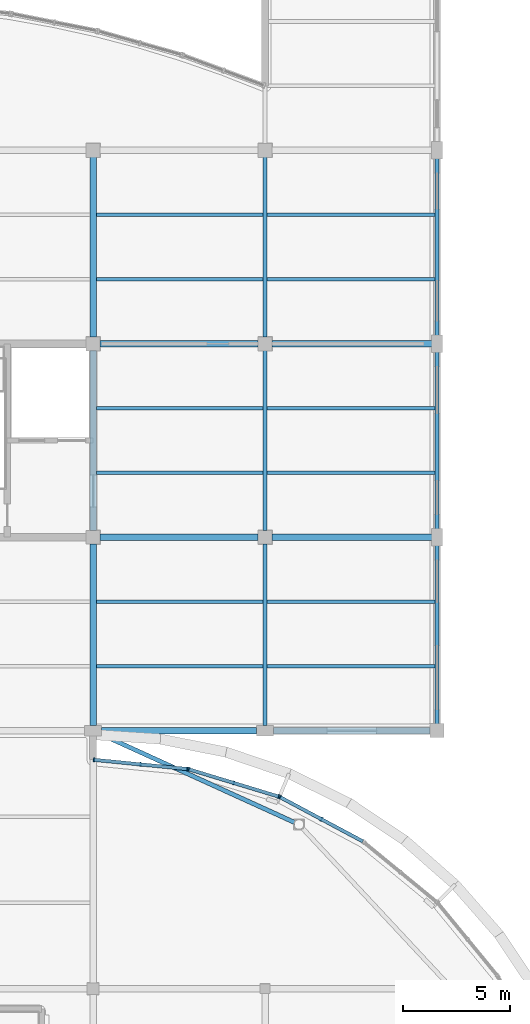
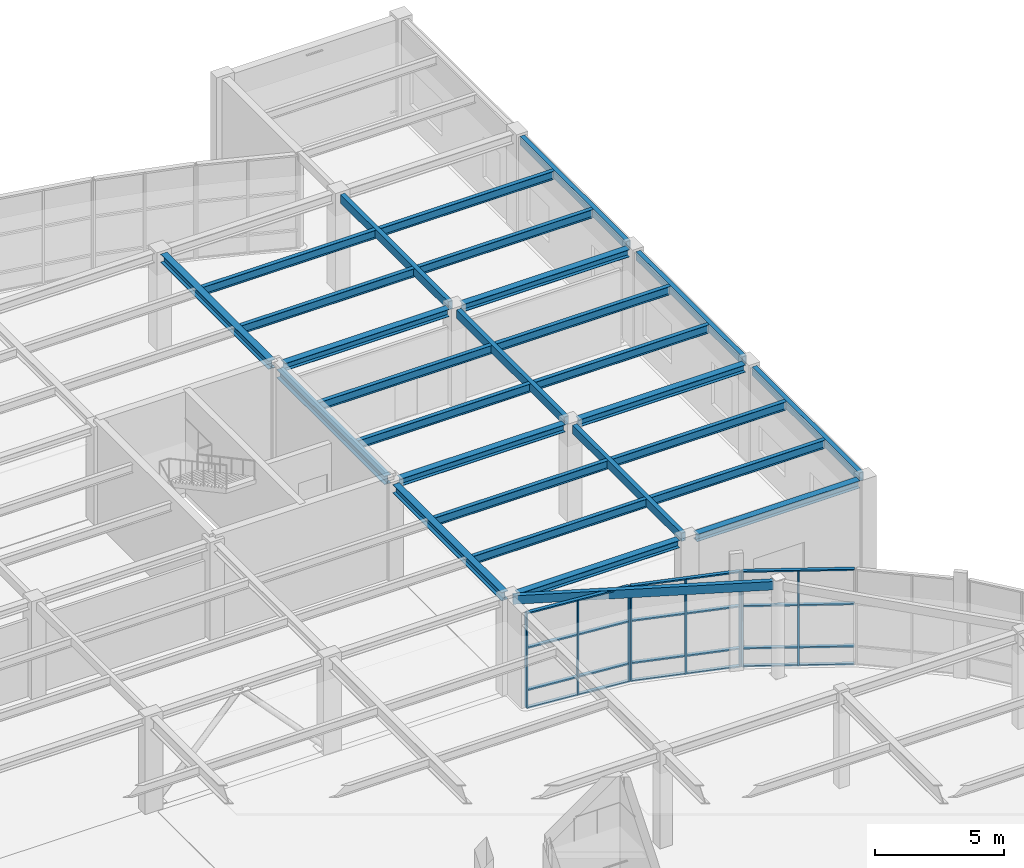
# One storey, part 30 of 63: 28 beams, 20 members, 3 elements without a shape of their own.
"""IFC4 building model written with IfcOpenShell, lengths in metres."""

from ifc_helpers import new_model, si_unit, direction, frame, origin, origin_2d, place, context, subcontext, project, spatial, rectangle, hollow_rectangle, i_section, extrude, material, layer, layer_set, material_profile, profile_set, type_object, element, aggregate, save


model = new_model("IFC4")

# Units and contexts
model_context = context("Model", 3, precision=1e-05, world=origin(), true_north=direction((0.0, 1.0)))
body_context = subcontext(model_context, "Body", "Model", "MODEL_VIEW")
ifc_project = project(units=[si_unit("LENGTHUNIT", "METRE"), si_unit("AREAUNIT", "SQUARE_METRE"), si_unit("VOLUMEUNIT", "CUBIC_METRE"), si_unit("PLANEANGLEUNIT", "RADIAN"), si_unit("MASSUNIT", "GRAM", prefix="KILO")], contexts=[model_context])

# Site, building, storey
site_placement = place(None, origin())
site = spatial("IfcSite", under=ifc_project, at=site_placement, CompositionType="ELEMENT")
building_placement = place(site_placement, origin())
building = spatial("IfcBuilding", under=site, at=building_placement, Name="Keelwater Ferry Terminal", CompositionType="ELEMENT")
storey_placement = place(building_placement, frame((0.0, 0.0, 10.199951171875)))
storey = spatial("IfcBuildingStorey", under=building, at=storey_placement, Name="L02", CompositionType="ELEMENT", Elevation=10.199951171875)

# Curtain wall, members
ifc_material_1 = material(Name="Thermally broken unitised aluminium and triple glass", Category="aluminium")
ifc_layer = layer(ifc_material_1, 0.179931640625)
ifc_layer_set = layer_set([ifc_layer], Name="Thermally broken unitised aluminium and triple glass")
curtain_wall_type = type_object("IfcCurtainWallType", Name="CW-19 Unitised Curtain Wall 4350x4480", PredefinedType="USERDEFINED", material=ifc_layer_set)
curtain_wall_1_placement = place(storey_placement, origin())
curtain_wall_1 = element("IfcCurtainWall", 1, at=curtain_wall_1_placement, inside=storey, type_object=curtain_wall_type, Name="Unitised Curtain Wall CW-L02-170", ObjectType="UNITISED CURTAIN WALL", PredefinedType="USERDEFINED")
ifc_material_2 = material(Name="Aluminium mullion", Category="aluminium")
ifc_material_profile_1 = material_profile(ifc_material_2, rectangle(XDim=0.06494140625, YDim=0.179931640625, at=origin_2d()), Name="CWM-01")
ifc_profile_set_1 = profile_set([ifc_material_profile_1], Name="Aluminium mullion")
member_type_1 = type_object("IfcMemberType", Name="CWM-01 Curtain Mullion 65x180", PredefinedType="MULLION", material=ifc_profile_set_1)
member_1_placement = place(storey_placement, frame((174.6259765625, 85.87939453125, 0.0), z_axis=(0.0, 0.0, 1.0), x_axis=(-0.881862452632, 0.471506749303, 0.0)))
member_1 = element("IfcMember", 2, at=member_1_placement, type_object=member_type_1, Name="CW-L02-170 Mullion 2", PredefinedType="MULLION", context=body_context, shape_type="SweptSolid", body=[
    extrude(rectangle(XDim=0.06494140625, YDim=0.179931640625, at=origin_2d()), origin(), (0.0, 0.0, 1.0), 4.47998046875),
])
member_2_placement = place(storey_placement, frame((172.7080078125, 86.905029296875, 0.0), z_axis=(0.0, 0.0, 1.0), x_axis=(-0.881862452632, 0.471506749303, 0.0)))
member_2 = element("IfcMember", 3, at=member_2_placement, type_object=member_type_1, Name="CW-L02-170 Mullion 3", PredefinedType="MULLION", context=body_context, shape_type="SweptSolid", body=[
    extrude(rectangle(XDim=0.06494140625, YDim=0.179931640625, at=origin_2d()), origin(), (0.0, 0.0, 1.0), 4.47998046875),
])

curtain_wall_2_placement = place(storey_placement, origin())
curtain_wall_2 = element("IfcCurtainWall", 4, at=curtain_wall_2_placement, inside=storey, type_object=curtain_wall_type, Name="Unitised Curtain Wall CW-L02-171", ObjectType="UNITISED CURTAIN WALL", PredefinedType="USERDEFINED")
member_3_placement = place(storey_placement, frame((172.625, 86.93896484375, 0.0), z_axis=(0.0, 0.0, 1.0), x_axis=(-0.956929623319, 0.290319989003, 0.0)))
member_3 = element("IfcMember", 5, at=member_3_placement, type_object=member_type_1, Name="CW-L02-171 Mullion 1", PredefinedType="MULLION", context=body_context, shape_type="SweptSolid", body=[
    extrude(rectangle(XDim=0.06494140625, YDim=0.179931640625, at=origin_2d()), origin(), (0.0, 0.0, 1.0), 4.47998046875),
])
member_4_placement = place(storey_placement, frame((170.54345703125, 87.570556640625, 0.0), z_axis=(0.0, 0.0, 1.0), x_axis=(-0.956929623319, 0.290319989003, 0.0)))
member_4 = element("IfcMember", 6, at=member_4_placement, type_object=member_type_1, Name="CW-L02-171 Mullion 2", PredefinedType="MULLION", context=body_context, shape_type="SweptSolid", body=[
    extrude(rectangle(XDim=0.06494140625, YDim=0.179931640625, at=origin_2d()), origin(), (0.0, 0.0, 1.0), 4.47998046875),
])
member_5_placement = place(storey_placement, frame((168.4619140625, 88.201904296875, 0.0), z_axis=(0.0, 0.0, 1.0), x_axis=(-0.956929623319, 0.290319989003, 0.0)))
member_5 = element("IfcMember", 7, at=member_5_placement, type_object=member_type_1, Name="CW-L02-171 Mullion 3", PredefinedType="MULLION", context=body_context, shape_type="SweptSolid", body=[
    extrude(rectangle(XDim=0.06494140625, YDim=0.179931640625, at=origin_2d()), origin(), (0.0, 0.0, 1.0), 4.47998046875),
])

curtain_wall_3_placement = place(storey_placement, origin())
curtain_wall_3 = element("IfcCurtainWall", 8, at=curtain_wall_3_placement, inside=storey, type_object=curtain_wall_type, Name="Unitised Curtain Wall CW-L02-172", ObjectType="UNITISED CURTAIN WALL", PredefinedType="USERDEFINED")
member_6_placement = place(storey_placement, frame((168.3740234375, 88.218994140625, 0.0), z_axis=(0.0, 0.0, 1.0), x_axis=(-0.995170573079, 0.098160737969, 0.0)))
member_6 = element("IfcMember", 9, at=member_6_placement, type_object=member_type_1, Name="CW-L02-172 Mullion 1", PredefinedType="MULLION", context=body_context, shape_type="SweptSolid", body=[
    extrude(rectangle(XDim=0.06494140625, YDim=0.179931640625, at=origin_2d()), origin(), (0.0, 0.0, 1.0), 4.47998046875),
])
member_7_placement = place(storey_placement, frame((166.20947265625, 88.4326171875, 0.0), z_axis=(0.0, 0.0, 1.0), x_axis=(-0.995170573079, 0.098160737969, 0.0)))
member_7 = element("IfcMember", 10, at=member_7_placement, type_object=member_type_1, Name="CW-L02-172 Mullion 2", PredefinedType="MULLION", context=body_context, shape_type="SweptSolid", body=[
    extrude(rectangle(XDim=0.06494140625, YDim=0.179931640625, at=origin_2d()), origin(), (0.0, 0.0, 1.0), 4.47998046875),
])
member_8_placement = place(storey_placement, frame((164.044921875, 88.64599609375, 0.0), z_axis=(0.0, 0.0, 1.0), x_axis=(-0.995170573079, 0.098160737969, 0.0)))
member_8 = element("IfcMember", 11, at=member_8_placement, type_object=member_type_1, Name="CW-L02-172 Mullion 3", PredefinedType="MULLION", context=body_context, shape_type="SweptSolid", body=[
    extrude(rectangle(XDim=0.06494140625, YDim=0.179931640625, at=origin_2d()), origin(), (0.0, 0.0, 1.0), 4.47998046875),
])

# Member
ifc_material_3 = material(Name="Aluminium mullion", Category="aluminium")
ifc_material_profile_2 = material_profile(ifc_material_3, rectangle(XDim=0.159912109375, YDim=0.06494140625, at=origin_2d()), Name="CWT-01")
ifc_profile_set_2 = profile_set([ifc_material_profile_2], Name="Aluminium mullion")
member_type_2 = type_object("IfcMemberType", Name="CWT-01 Curtain Transom 65x160", PredefinedType="USERDEFINED", material=ifc_profile_set_2)
member_9_placement = place(storey_placement, frame((176.5439453125, 84.85400390625, 0.0), z_axis=(-0.881856831112, 0.471517263122, 0.0), x_axis=(-0.471517263122, -0.881856831112, 0.0)))
member_9 = element("IfcMember", 12, at=member_9_placement, type_object=member_type_2, Name="CW-L02-170 Transom 1", ObjectType="TRANSOM", PredefinedType="USERDEFINED", context=body_context, shape_type="SweptSolid", body=[
    extrude(rectangle(XDim=0.159912109375, YDim=0.06494140625, at=origin_2d()), origin(), (0.0, 0.0, 1.0), 4.349853515625),
])

member_10_placement = place(storey_placement, frame((176.5439453125, 84.85400390625, 0.85009765625), z_axis=(-0.881856831112, 0.471517263122, 0.0), x_axis=(-0.471517263122, -0.881856831112, 0.0)))
member_10 = element("IfcMember", 13, at=member_10_placement, type_object=member_type_2, Name="CW-L02-170 Transom 2", ObjectType="TRANSOM", PredefinedType="USERDEFINED", context=body_context, shape_type="SweptSolid", body=[
    extrude(rectangle(XDim=0.159912109375, YDim=0.06494140625, at=origin_2d()), origin(), (0.0, 0.0, 1.0), 4.349853515625),
])

member_11_placement = place(storey_placement, frame((176.5439453125, 84.85400390625, 2.85009765625), z_axis=(-0.881856831112, 0.471517263122, 0.0), x_axis=(-0.471517263122, -0.881856831112, 0.0)))
member_11 = element("IfcMember", 14, at=member_11_placement, type_object=member_type_2, Name="CW-L02-170 Transom 3", ObjectType="TRANSOM", PredefinedType="USERDEFINED", context=body_context, shape_type="SweptSolid", body=[
    extrude(rectangle(XDim=0.159912109375, YDim=0.06494140625, at=origin_2d()), origin(), (0.0, 0.0, 1.0), 4.349853515625),
])

member_12_placement = place(storey_placement, frame((176.5439453125, 84.85400390625, 4.47998046875), z_axis=(-0.881856831112, 0.471517263122, 0.0), x_axis=(-0.471517263122, -0.881856831112, 0.0)))
member_12 = element("IfcMember", 15, at=member_12_placement, type_object=member_type_2, Name="CW-L02-170 Transom 4", ObjectType="TRANSOM", PredefinedType="USERDEFINED", context=body_context, shape_type="SweptSolid", body=[
    extrude(rectangle(XDim=0.159912109375, YDim=0.06494140625, at=origin_2d()), origin(), (0.0, 0.0, 1.0), 4.349853515625),
])

aggregate(curtain_wall_1, [member_1, member_2, member_9, member_10, member_11, member_12])

member_13_placement = place(storey_placement, frame((172.625, 86.93896484375, 0.0), z_axis=(-0.956935154583, 0.290301756665, 0.0), x_axis=(-0.290301756665, -0.956935154583, 0.0)))
member_13 = element("IfcMember", 16, at=member_13_placement, type_object=member_type_2, Name="CW-L02-171 Transom 1", ObjectType="TRANSOM", PredefinedType="USERDEFINED", context=body_context, shape_type="SweptSolid", body=[
    extrude(rectangle(XDim=0.159912109375, YDim=0.06494140625, at=origin_2d()), origin(), (0.0, 0.0, 1.0), 4.350341796875),
])

member_14_placement = place(storey_placement, frame((172.625, 86.93896484375, 0.85009765625), z_axis=(-0.956935154583, 0.290301756665, 0.0), x_axis=(-0.290301756665, -0.956935154583, 0.0)))
member_14 = element("IfcMember", 17, at=member_14_placement, type_object=member_type_2, Name="CW-L02-171 Transom 2", ObjectType="TRANSOM", PredefinedType="USERDEFINED", context=body_context, shape_type="SweptSolid", body=[
    extrude(rectangle(XDim=0.159912109375, YDim=0.06494140625, at=origin_2d()), origin(), (0.0, 0.0, 1.0), 4.350341796875),
])

member_15_placement = place(storey_placement, frame((172.625, 86.93896484375, 2.85009765625), z_axis=(-0.956935154583, 0.290301756665, 0.0), x_axis=(-0.290301756665, -0.956935154583, 0.0)))
member_15 = element("IfcMember", 18, at=member_15_placement, type_object=member_type_2, Name="CW-L02-171 Transom 3", ObjectType="TRANSOM", PredefinedType="USERDEFINED", context=body_context, shape_type="SweptSolid", body=[
    extrude(rectangle(XDim=0.159912109375, YDim=0.06494140625, at=origin_2d()), origin(), (0.0, 0.0, 1.0), 4.350341796875),
])

member_16_placement = place(storey_placement, frame((172.625, 86.93896484375, 4.47998046875), z_axis=(-0.956935154583, 0.290301756665, 0.0), x_axis=(-0.290301756665, -0.956935154583, 0.0)))
member_16 = element("IfcMember", 19, at=member_16_placement, type_object=member_type_2, Name="CW-L02-171 Transom 4", ObjectType="TRANSOM", PredefinedType="USERDEFINED", context=body_context, shape_type="SweptSolid", body=[
    extrude(rectangle(XDim=0.159912109375, YDim=0.06494140625, at=origin_2d()), origin(), (0.0, 0.0, 1.0), 4.350341796875),
])

aggregate(curtain_wall_2, [member_3, member_4, member_5, member_13, member_14, member_15, member_16])

member_17_placement = place(storey_placement, frame((168.3740234375, 88.218994140625, 0.0), z_axis=(-0.995170754178, 0.098158901932, 0.0), x_axis=(-0.098158901932, -0.995170754178, 0.0)))
member_17 = element("IfcMember", 20, at=member_17_placement, type_object=member_type_2, Name="CW-L02-172 Transom 1", ObjectType="TRANSOM", PredefinedType="USERDEFINED", context=body_context, shape_type="SweptSolid", body=[
    extrude(rectangle(XDim=0.159912109375, YDim=0.06494140625, at=origin_2d()), origin(), (0.0, 0.0, 1.0), 4.35009765625),
])

member_18_placement = place(storey_placement, frame((168.3740234375, 88.218994140625, 0.85009765625), z_axis=(-0.995170754178, 0.098158901932, 0.0), x_axis=(-0.098158901932, -0.995170754178, 0.0)))
member_18 = element("IfcMember", 21, at=member_18_placement, type_object=member_type_2, Name="CW-L02-172 Transom 2", ObjectType="TRANSOM", PredefinedType="USERDEFINED", context=body_context, shape_type="SweptSolid", body=[
    extrude(rectangle(XDim=0.159912109375, YDim=0.06494140625, at=origin_2d()), origin(), (0.0, 0.0, 1.0), 4.35009765625),
])

member_19_placement = place(storey_placement, frame((168.3740234375, 88.218994140625, 2.85009765625), z_axis=(-0.995170754178, 0.098158901932, 0.0), x_axis=(-0.098158901932, -0.995170754178, 0.0)))
member_19 = element("IfcMember", 22, at=member_19_placement, type_object=member_type_2, Name="CW-L02-172 Transom 3", ObjectType="TRANSOM", PredefinedType="USERDEFINED", context=body_context, shape_type="SweptSolid", body=[
    extrude(rectangle(XDim=0.159912109375, YDim=0.06494140625, at=origin_2d()), origin(), (0.0, 0.0, 1.0), 4.35009765625),
])

member_20_placement = place(storey_placement, frame((168.3740234375, 88.218994140625, 4.47998046875), z_axis=(-0.995170754178, 0.098158901932, 0.0), x_axis=(-0.098158901932, -0.995170754178, 0.0)))
member_20 = element("IfcMember", 23, at=member_20_placement, type_object=member_type_2, Name="CW-L02-172 Transom 4", ObjectType="TRANSOM", PredefinedType="USERDEFINED", context=body_context, shape_type="SweptSolid", body=[
    extrude(rectangle(XDim=0.159912109375, YDim=0.06494140625, at=origin_2d()), origin(), (0.0, 0.0, 1.0), 4.35009765625),
])

aggregate(curtain_wall_3, [member_6, member_7, member_8, member_17, member_18, member_19, member_20])

# Beams
ifc_material_4 = material(Name="Steel S355", Category="steel")
ifc_material_profile_3 = material_profile(ifc_material_4, i_section(OverallWidth=0.300048828125, OverallDepth=0.39990234375, WebThickness=0.013427734375, FlangeThickness=0.02392578125, at=origin_2d()), Name="HEB 400")
ifc_profile_set_3 = profile_set([ifc_material_profile_3], Name="Steel S355")
beam_type_1 = type_object("IfcBeamType", Name="G7 HEB 400", PredefinedType="BEAM", material=ifc_profile_set_3)
beam_1_placement = place(storey_placement, frame((164.0, 90.2451171875, 4.320068359375), z_axis=(0.0, 1.0, 0.0), x_axis=(-1.0, 0.0, 0.0)))
element("IfcBeam", 24, at=beam_1_placement, inside=storey, type_object=beam_type_1, Name="Beam BM-L02-1133", PredefinedType="BEAM", context=body_context, shape_type="SweptSolid", body=[
    extrude(i_section(OverallWidth=0.300048828125, OverallDepth=0.39990234375, WebThickness=0.013427734375, FlangeThickness=0.02392578125, at=origin_2d()), origin(), (0.0, 0.0, 1.0), 8.436767578125),
])
for number, where, z_axis, x_axis, name in (
    (25, (164.0, 99.318115234375, 4.320068359375), (0.0, 1.0, 0.0), (-1.0, 0.0, 0.0), "Beam BM-L02-1134"),
    (26, (164.0, 108.318115234375, 4.320068359375), (0.0, 1.0, 0.0), (-1.0, 0.0, 0.0), "Beam BM-L02-1135"),
):
    element("IfcBeam", number, at=place(storey_placement, frame(where, z_axis=z_axis, x_axis=x_axis)), inside=storey, type_object=beam_type_1, Name=name, PredefinedType="BEAM", context=body_context, shape_type="SweptSolid", body=[
        extrude(i_section(OverallWidth=0.300048828125, OverallDepth=0.39990234375, WebThickness=0.013427734375, FlangeThickness=0.02392578125, at=origin_2d()), origin(), (0.0, 0.0, 1.0), 8.36376953125),
    ])
ifc_material_5 = material(Name="Steel S355", Category="steel")
ifc_material_profile_4 = material_profile(ifc_material_5, i_section(OverallWidth=0.179931640625, OverallDepth=0.39990234375, WebThickness=0.008544921875, FlangeThickness=0.013427734375, at=origin_2d()), Name="IPE 400")
ifc_profile_set_4 = profile_set([ifc_material_profile_4], Name="Steel S355")
beam_type_2 = type_object("IfcBeamType", Name="J5 IPE 400", PredefinedType="JOIST", material=ifc_profile_set_4)
for number, where, z_axis, x_axis, name in (
    (27, (164.14990234375, 93.0, 4.320068359375), (1.0, 0.0, 0.0), (0.0, 1.0, 0.0), "Beam BM-L02-1247"),
    (28, (164.14990234375, 96.0, 4.320068359375), (1.0, 0.0, 0.0), (0.0, 1.0, 0.0), "Beam BM-L02-1248"),
    (29, (164.14990234375, 102.0, 4.320068359375), (1.0, 0.0, 0.0), (0.0, 1.0, 0.0), "Beam BM-L02-1249"),
    (30, (164.14990234375, 105.0, 4.320068359375), (1.0, 0.0, 0.0), (0.0, 1.0, 0.0), "Beam BM-L02-1250"),
    (31, (164.14990234375, 111.0, 4.320068359375), (1.0, 0.0, 0.0), (0.0, 1.0, 0.0), "Beam BM-L02-1251"),
    (32, (164.14990234375, 114.0, 4.320068359375), (1.0, 0.0, 0.0), (0.0, 1.0, 0.0), "Beam BM-L02-1252"),
):
    element("IfcBeam", number, at=place(storey_placement, frame(where, z_axis=z_axis, x_axis=x_axis)), inside=storey, type_object=beam_type_2, Name=name, PredefinedType="JOIST", context=body_context, shape_type="SweptSolid", body=[
        extrude(i_section(OverallWidth=0.179931640625, OverallDepth=0.39990234375, WebThickness=0.008544921875, FlangeThickness=0.013427734375, at=origin_2d()), origin(), (0.0, 0.0, 1.0), 7.75),
    ])
for number, where, z_axis, x_axis, name in (
    (33, (172.10009765625, 93.0, 4.320068359375), (1.0, 0.0, 0.0), (0.0, 1.0, 0.0), "Beam BM-L02-1257"),
    (34, (172.10009765625, 96.0, 4.320068359375), (1.0, 0.0, 0.0), (0.0, 1.0, 0.0), "Beam BM-L02-1258"),
    (35, (172.10009765625, 102.0, 4.320068359375), (1.0, 0.0, 0.0), (0.0, 1.0, 0.0), "Beam BM-L02-1259"),
    (36, (172.10009765625, 105.0, 4.320068359375), (1.0, 0.0, 0.0), (0.0, 1.0, 0.0), "Beam BM-L02-1260"),
    (37, (172.10009765625, 111.0, 4.320068359375), (1.0, 0.0, 0.0), (0.0, 1.0, 0.0), "Beam BM-L02-1261"),
    (38, (172.10009765625, 114.0, 4.320068359375), (1.0, 0.0, 0.0), (0.0, 1.0, 0.0), "Beam BM-L02-1262"),
):
    element("IfcBeam", number, at=place(storey_placement, frame(where, z_axis=z_axis, x_axis=x_axis)), inside=storey, type_object=beam_type_2, Name=name, PredefinedType="JOIST", context=body_context, shape_type="SweptSolid", body=[
        extrude(i_section(OverallWidth=0.179931640625, OverallDepth=0.39990234375, WebThickness=0.008544921875, FlangeThickness=0.013427734375, at=origin_2d()), origin(), (0.0, 0.0, 1.0), 7.7998046875),
    ])
ifc_material_6 = material(Name="Steel S355", Category="steel")
ifc_material_profile_5 = material_profile(ifc_material_6, i_section(OverallWidth=0.300048828125, OverallDepth=0.35009765625, WebThickness=0.010009765625, FlangeThickness=0.017578125, at=origin_2d()), Name="HEA 360")
ifc_profile_set_5 = profile_set([ifc_material_profile_5], Name="Steel S355")
beam_type_3 = type_object("IfcBeamType", Name="SP1E HEA 360", PredefinedType="SPANDREL", material=ifc_profile_set_5)
beam_2_placement = place(storey_placement, frame((164.39208984375, 90.0, 4.344970703125), z_axis=(1.0, 0.0, 0.0), x_axis=(0.0, 1.0, 0.0)))
element("IfcBeam", 39, at=beam_2_placement, inside=storey, type_object=beam_type_3, Name="Beam BM-L02-1043", PredefinedType="SPANDREL", context=body_context, shape_type="SweptSolid", body=[
    extrude(i_section(OverallWidth=0.300048828125, OverallDepth=0.35009765625, WebThickness=0.010009765625, FlangeThickness=0.017578125, at=origin_2d()), origin(), (0.0, 0.0, 1.0), 7.2158203125),
])
beam_3_placement = place(storey_placement, frame((172.39208984375, 90.0, 4.344970703125), z_axis=(1.0, 0.0, 0.0), x_axis=(0.0, 1.0, 0.0)))
element("IfcBeam", 40, at=beam_3_placement, inside=storey, type_object=beam_type_3, Name="Beam BM-L02-1044", PredefinedType="SPANDREL", context=body_context, shape_type="SweptSolid", body=[
    extrude(i_section(OverallWidth=0.300048828125, OverallDepth=0.35009765625, WebThickness=0.010009765625, FlangeThickness=0.017578125, at=origin_2d()), origin(), (0.0, 0.0, 1.0), 7.289794921875),
])
beam_4_placement = place(storey_placement, frame((164.318115234375, 99.0, 4.344970703125), z_axis=(1.0, 0.0, 0.0), x_axis=(0.0, 1.0, 0.0)))
element("IfcBeam", 41, at=beam_4_placement, inside=storey, type_object=beam_type_3, Name="Beam BM-L02-1051", PredefinedType="SPANDREL", context=body_context, shape_type="SweptSolid", body=[
    extrude(i_section(OverallWidth=0.300048828125, OverallDepth=0.35009765625, WebThickness=0.010009765625, FlangeThickness=0.017578125, at=origin_2d()), origin(), (0.0, 0.0, 1.0), 7.36376953125),
])
beam_5_placement = place(storey_placement, frame((172.318115234375, 99.0, 4.344970703125), z_axis=(1.0, 0.0, 0.0), x_axis=(0.0, 1.0, 0.0)))
element("IfcBeam", 42, at=beam_5_placement, inside=storey, type_object=beam_type_3, Name="Beam BM-L02-1052", PredefinedType="SPANDREL", context=body_context, shape_type="SweptSolid", body=[
    extrude(i_section(OverallWidth=0.300048828125, OverallDepth=0.35009765625, WebThickness=0.010009765625, FlangeThickness=0.017578125, at=origin_2d()), origin(), (0.0, 0.0, 1.0), 7.436767578125),
])
beam_6_placement = place(storey_placement, frame((164.318115234375, 108.0, 4.344970703125), z_axis=(1.0, 0.0, 0.0), x_axis=(0.0, 1.0, 0.0)))
element("IfcBeam", 43, at=beam_6_placement, inside=storey, type_object=beam_type_3, Name="Beam BM-L02-1059", PredefinedType="SPANDREL", context=body_context, shape_type="SweptSolid", body=[
    extrude(i_section(OverallWidth=0.300048828125, OverallDepth=0.35009765625, WebThickness=0.010009765625, FlangeThickness=0.017578125, at=origin_2d()), origin(), (0.0, 0.0, 1.0), 7.36376953125),
])
beam_7_placement = place(storey_placement, frame((172.318115234375, 108.0, 4.344970703125), z_axis=(1.0, 0.0, 0.0), x_axis=(0.0, 1.0, 0.0)))
element("IfcBeam", 44, at=beam_7_placement, inside=storey, type_object=beam_type_3, Name="Beam BM-L02-1060", PredefinedType="SPANDREL", context=body_context, shape_type="SweptSolid", body=[
    extrude(i_section(OverallWidth=0.300048828125, OverallDepth=0.35009765625, WebThickness=0.010009765625, FlangeThickness=0.017578125, at=origin_2d()), origin(), (0.0, 0.0, 1.0), 7.436767578125),
])
ifc_material_7 = material(Name="Steel S355", Category="steel")
ifc_material_profile_6 = material_profile(ifc_material_7, hollow_rectangle(XDim=0.199951171875, YDim=0.39990234375, WallThickness=0.01611328125, at=origin_2d()), Name="RHS 400x200x16")
ifc_profile_set_6 = profile_set([ifc_material_profile_6], Name="Steel S355")
beam_type_4 = type_object("IfcBeamType", Name="SP3E RHS 400x200x16", PredefinedType="SPANDREL", material=ifc_profile_set_6)
beam_8_placement = place(storey_placement, frame((172.0, 90.2451171875, 4.320068359375), z_axis=(0.0, 1.0, 0.0), x_axis=(-1.0, 0.0, 0.0)))
element("IfcBeam", 45, at=beam_8_placement, inside=storey, type_object=beam_type_4, Name="Beam BM-L02-1138", PredefinedType="SPANDREL", context=body_context, shape_type="SweptSolid", body=[
    extrude(hollow_rectangle(XDim=0.199951171875, YDim=0.39990234375, WallThickness=0.01611328125, at=origin_2d()), origin(), (0.0, 0.0, 1.0), 8.436767578125),
])
for number, where, z_axis, x_axis, name in (
    (46, (172.0, 99.318115234375, 4.320068359375), (0.0, 1.0, 0.0), (-1.0, 0.0, 0.0), "Beam BM-L02-1139"),
    (47, (172.0, 108.318115234375, 4.320068359375), (0.0, 1.0, 0.0), (-1.0, 0.0, 0.0), "Beam BM-L02-1140"),
):
    element("IfcBeam", number, at=place(storey_placement, frame(where, z_axis=z_axis, x_axis=x_axis)), inside=storey, type_object=beam_type_4, Name=name, PredefinedType="SPANDREL", context=body_context, shape_type="SweptSolid", body=[
        extrude(hollow_rectangle(XDim=0.199951171875, YDim=0.39990234375, WallThickness=0.01611328125, at=origin_2d()), origin(), (0.0, 0.0, 1.0), 8.36376953125),
    ])
beam_9_placement = place(storey_placement, frame((180.0, 90.318115234375, 4.320068359375), z_axis=(0.0, 1.0, 0.0), x_axis=(-1.0, 0.0, 0.0)))
element("IfcBeam", 48, at=beam_9_placement, inside=storey, type_object=beam_type_4, Name="Beam BM-L02-1144", PredefinedType="SPANDREL", context=body_context, shape_type="SweptSolid", body=[
    extrude(hollow_rectangle(XDim=0.199951171875, YDim=0.39990234375, WallThickness=0.01611328125, at=origin_2d()), origin(), (0.0, 0.0, 1.0), 8.289794921875),
])
for number, where, z_axis, x_axis, name in (
    (49, (180.0, 99.39208984375, 4.320068359375), (0.0, 1.0, 0.0), (-1.0, 0.0, 0.0), "Beam BM-L02-1145"),
    (50, (180.0, 108.39208984375, 4.320068359375), (0.0, 1.0, 0.0), (-1.0, 0.0, 0.0), "Beam BM-L02-1146"),
):
    element("IfcBeam", number, at=place(storey_placement, frame(where, z_axis=z_axis, x_axis=x_axis)), inside=storey, type_object=beam_type_4, Name=name, PredefinedType="SPANDREL", context=body_context, shape_type="SweptSolid", body=[
        extrude(hollow_rectangle(XDim=0.199951171875, YDim=0.39990234375, WallThickness=0.01611328125, at=origin_2d()), origin(), (0.0, 0.0, 1.0), 8.2158203125),
    ])
beam_10_placement = place(storey_placement, frame((164.173095703125, 89.9208984375, 4.320068359375), z_axis=(0.910123163328, -0.414337818181, 0.0), x_axis=(0.414337818181, 0.910123163328, 0.0)))
element("IfcBeam", 51, at=beam_10_placement, inside=storey, type_object=beam_type_4, Name="Beam BM-L02-1275", PredefinedType="SPANDREL", context=body_context, shape_type="SweptSolid", body=[
    extrude(hollow_rectangle(XDim=0.199951171875, YDim=0.39990234375, WallThickness=0.01611328125, at=origin_2d()), origin(), (0.0, 0.0, 1.0), 10.1435546875),
])

save(model, "model.ifc")
